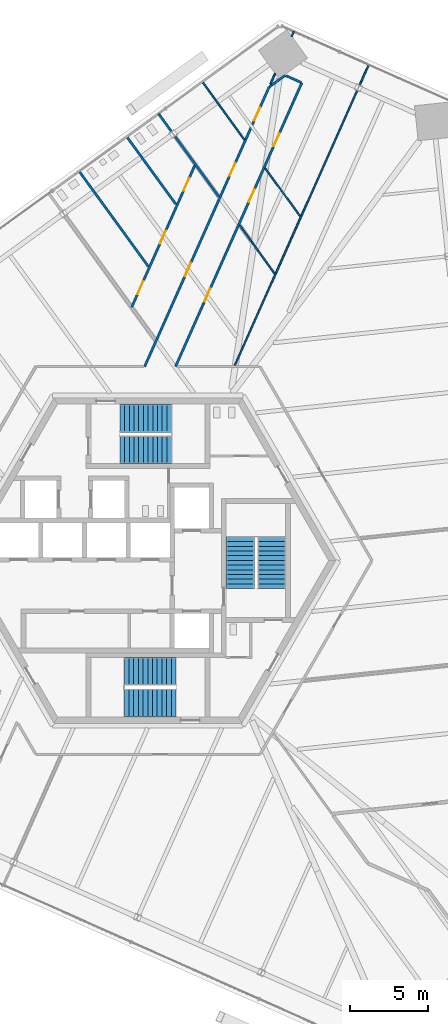
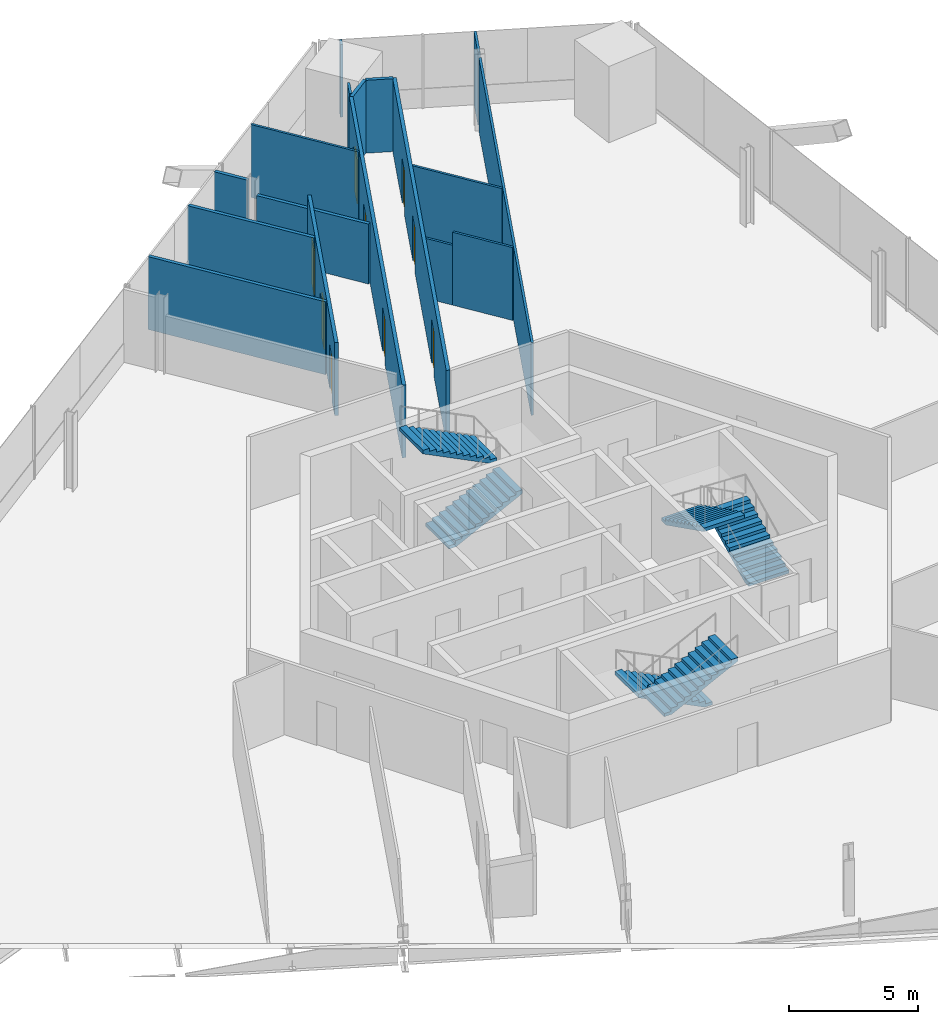
# One storey, part 13 of 17: 17 walls, 9 doors, 6 stair flights, 9 openings, 3 elements without a shape of their own.
"""IFC4 building model written with IfcOpenShell, lengths in metres."""

from ifc_helpers import new_model, si_unit, direction, frame, frame_2d, origin, place, context, subcontext, project, spatial, polyline, rectangle, outline, extrude, source, transform, mapped, material, layer, layer_set, type_object, element, fill, aggregate, save


model = new_model("IFC4")

# Units and contexts
model_context = context("Model", 3, precision=1e-05, world=origin(), true_north=direction((0.0, 1.0)))
body_context = subcontext(model_context, "Body", "Model", "MODEL_VIEW")
ifc_project = project(units=[si_unit("LENGTHUNIT", "METRE"), si_unit("AREAUNIT", "SQUARE_METRE"), si_unit("VOLUMEUNIT", "CUBIC_METRE"), si_unit("PLANEANGLEUNIT", "RADIAN"), si_unit("MASSUNIT", "GRAM", prefix="KILO")], contexts=[model_context])

# Site, building, storey
site_placement = place(None, origin())
site = spatial("IfcSite", under=ifc_project, at=site_placement, CompositionType="ELEMENT")
building_placement = place(site_placement, origin())
building = spatial("IfcBuilding", under=site, at=building_placement, Name="Triune Harvest Tower", CompositionType="ELEMENT")
storey_placement = place(building_placement, frame((0.0, 0.0, 62.10009765625)))
storey = spatial("IfcBuildingStorey", under=building, at=storey_placement, Name="L14", CompositionType="ELEMENT", Elevation=62.10009765625)

# Wall
ifc_material_1 = material(Name="Gypsum board on steel studs", Category="steel")
ifc_layer_1 = layer(ifc_material_1, 0.14990234375)
ifc_layer_set_1 = layer_set([ifc_layer_1], Name="Gypsum board on steel studs")
wall_type_1 = type_object("IfcWallType", Name="Fire Partition 150 mm", PredefinedType="PARTITIONING", material=ifc_layer_set_1)
wall_1_placement = place(storey_placement, frame((1.727783203125, 27.09619140625, 0.0), z_axis=(0.0, 0.0, 1.0), x_axis=(0.587783745591, -0.809018089055, 0.0)))
element("IfcWall", 1, at=wall_1_placement, inside=storey, type_object=wall_type_1, Name="Partition L14 012", PredefinedType="PARTITIONING", context=body_context, shape_type="SweptSolid", body=[
    extrude(rectangle(XDim=4.7529296875, YDim=0.14990234375, at=frame_2d((2.37646484375, 0.0))), origin(), (0.0, 0.0, 1.0), 2.82763671875),
])

# Wall, openings, doors
wall_2_placement = place(storey_placement, frame((-0.208740234375, 12.392333984375, 0.0), z_axis=(0.0, 0.0, 1.0), x_axis=(0.406735449972, 0.913545988846, 0.0)))
wall_2 = element("IfcWall", 2, at=wall_2_placement, inside=storey, type_object=wall_type_1, Name="Partition L14 040", PredefinedType="PARTITIONING", context=body_context, shape_type="SweptSolid", body=[
    extrude(rectangle(XDim=19.53857421875, YDim=0.14990234375, at=frame_2d((9.769287109375, 0.0))), origin(), (0.0, 0.0, 1.0), 3.43994140625),
])
opening_1_placement = place(wall_2_placement, frame((13.339599609375, 0.0, 0.0)))
opening_1 = element("IfcOpeningElement", 3, at=opening_1_placement, cuts=wall_2, Name="Opening L14-006", PredefinedType="OPENING", context=body_context, shape_type="SweptSolid", body=[
    extrude(rectangle(XDim=0.89990234375, YDim=2.10009765625, at=frame_2d((0.449951171875, 1.050048828125))), frame((0.0, 0.0849609375, 0.0), z_axis=(0.0, -1.0, 0.0), x_axis=(1.0, 0.0, 0.0)), (0.0, 0.0, 1.0), 0.169921875),
])
opening_2_placement = place(wall_2_placement, frame((17.20849609375, 0.0, 0.0)))
opening_2 = element("IfcOpeningElement", 4, at=opening_2_placement, cuts=wall_2, Name="Opening L14-007", PredefinedType="OPENING", context=body_context, shape_type="SweptSolid", body=[
    extrude(rectangle(XDim=0.89990234375, YDim=2.10009765625, at=frame_2d((0.449951171875, 1.050048828125))), frame((0.0, 0.0849609375, 0.0), z_axis=(0.0, -1.0, 0.0), x_axis=(1.0, 0.0, 0.0)), (0.0, 0.0, 1.0), 0.169921875),
])
opening_3_placement = place(wall_2_placement, frame((6.338623046875, 0.0, 0.0)))
opening_3 = element("IfcOpeningElement", 5, at=opening_3_placement, cuts=wall_2, Name="Opening L14-009", PredefinedType="OPENING", context=body_context, shape_type="SweptSolid", body=[
    extrude(rectangle(XDim=0.89990234375, YDim=2.10009765625, at=frame_2d((0.449951171875, 1.050048828125))), frame((0.0, 0.0849609375, 0.0), z_axis=(0.0, -1.0, 0.0), x_axis=(1.0, 0.0, 0.0)), (0.0, 0.0, 1.0), 0.169921875),
])
ifc_material_2 = material(Name="Timber and steel door set", Category="steel")
door_type_1 = type_object("IfcDoorType", Name="Single leaf door FD30 left hand 900 x 2100", OperationType="SINGLE_SWING_LEFT", PredefinedType="DOOR", material=ifc_material_2)
door_1_placement = place(opening_3_placement, origin())
door_1 = element("IfcDoor", 6, at=door_1_placement, inside=storey, type_object=door_type_1, Name="Door L14-009 WC lobby 14.09", OperationType="SINGLE_SWING_LEFT", OverallHeight=2.10009765625, OverallWidth=0.89990234375, PredefinedType="DOOR", context=body_context, shape_type="SweptSolid", body=[
    extrude(rectangle(XDim=0.89990234375, YDim=2.10009765625, at=frame_2d((0.449951171875, 1.050048828125))), frame((0.0, 0.02490234375, 0.0), z_axis=(0.0, -1.0, 0.0), x_axis=(1.0, 0.0, 0.0)), (0.0, 0.0, 1.0), 0.050048828125),
])
fill(opening_3, door_1)
ifc_material_3 = material(Name="Timber and steel door set", Category="steel")
door_type_2 = type_object("IfcDoorType", Name="Single leaf door FD30 right hand 900 x 2100", OperationType="SINGLE_SWING_RIGHT", PredefinedType="DOOR", material=ifc_material_3)
door_2_placement = place(opening_1_placement, origin())
door_2 = element("IfcDoor", 7, at=door_2_placement, inside=storey, type_object=door_type_2, Name="Door L14-006 Print room 14.06", OperationType="SINGLE_SWING_RIGHT", OverallHeight=2.10009765625, OverallWidth=0.89990234375, PredefinedType="DOOR", context=body_context, shape_type="SweptSolid", body=[
    extrude(rectangle(XDim=0.89990234375, YDim=2.10009765625, at=frame_2d((0.449951171875, 1.050048828125))), frame((0.0, 0.02490234375, 0.0), z_axis=(0.0, -1.0, 0.0), x_axis=(1.0, 0.0, 0.0)), (0.0, 0.0, 1.0), 0.050048828125),
])
fill(opening_1, door_2)
door_3_placement = place(opening_2_placement, origin())
door_3 = element("IfcDoor", 8, at=door_3_placement, inside=storey, type_object=door_type_2, Name="Door L14-007 Pantry 14.07", OperationType="SINGLE_SWING_RIGHT", OverallHeight=2.10009765625, OverallWidth=0.89990234375, PredefinedType="DOOR", context=body_context, shape_type="SweptSolid", body=[
    extrude(rectangle(XDim=0.89990234375, YDim=2.10009765625, at=frame_2d((0.449951171875, 1.050048828125))), frame((0.0, 0.02490234375, 0.0), z_axis=(0.0, -1.0, 0.0), x_axis=(1.0, 0.0, 0.0)), (0.0, 0.0, 1.0), 0.050048828125),
])
fill(opening_2, door_3)

# Walls
ifc_material_4 = material(Name="Gypsum board on steel studs", Category="steel")
ifc_layer_2 = layer(ifc_material_4, 0.10009765625)
ifc_layer_set_2 = layer_set([ifc_layer_2], Name="Gypsum board on steel studs")
wall_type_2 = type_object("IfcWallType", Name="Partition 100 mm", PredefinedType="PARTITIONING", material=ifc_layer_set_2)
wall_3_placement = place(storey_placement, frame((5.86083984375, 21.40771484375, 0.0), z_axis=(0.0, 0.0, 1.0), x_axis=(0.587687864278, -0.809087741954, 0.0)))
element("IfcWall", 9, at=wall_3_placement, inside=storey, type_object=wall_type_2, Name="Partition L14 013", PredefinedType="PARTITIONING", context=body_context, shape_type="SweptSolid", body=[
    extrude(rectangle(XDim=1.260498046875, YDim=0.10009765625, at=frame_2d((0.63037109375, 0.0))), origin(), (0.0, 0.0, 1.0), 2.82763671875),
])
wall_4_placement = place(storey_placement, frame((3.4775390625, 30.58251953125, 0.0), z_axis=(0.0, 0.0, 1.0), x_axis=(0.587796374443, -0.809008913542, 0.0)))
element("IfcWall", 10, at=wall_4_placement, inside=storey, type_object=wall_type_2, Name="Partition L14 014", PredefinedType="PARTITIONING", context=body_context, shape_type="SweptSolid", body=[
    extrude(rectangle(XDim=4.564697265625, YDim=0.10009765625, at=frame_2d((2.2822265625, 0.0))), origin(), (0.0, 0.0, 1.0), 3.43994140625),
])
wall_5_placement = place(storey_placement, frame((7.488037109375, 25.0625, 0.0), z_axis=(0.0, 0.0, 1.0), x_axis=(0.587797469144, -0.809008118172, 0.0)))
element("IfcWall", 11, at=wall_5_placement, inside=storey, type_object=wall_type_2, Name="Partition L14 015", PredefinedType="PARTITIONING", context=body_context, shape_type="SweptSolid", body=[
    extrude(rectangle(XDim=3.802001953125, YDim=0.10009765625, at=frame_2d((1.90087890625, 0.0))), origin(), (0.0, 0.0, 1.0), 3.43994140625),
])
shared_shape_1 = source(origin(), body_context, "Body", "SweptSolid", [
    extrude(rectangle(XDim=7.5048828125, YDim=0.14990234375, at=frame_2d((3.75244140625, 0.0))), origin(), (0.0, 0.0, 1.0), 3.43994140625),
])
wall_6_placement = place(storey_placement, frame((-4.391845703125, 24.864990234375, 0.0), z_axis=(0.0, 0.0, 1.0), x_axis=(0.587777030778, -0.809022967591, 0.0)))
element("IfcWall", 12, at=wall_6_placement, inside=storey, type_object=wall_type_1, Name="Partition L14 009", PredefinedType="PARTITIONING", context=body_context, shape_type="MappedRepresentation", body=[
    mapped(shared_shape_1, transform((0.0, 0.0, 0.0), scale=1.0)),
])
shared_shape_2 = source(origin(), body_context, "Body", "SweptSolid", [
    extrude(rectangle(XDim=5.33544921875, YDim=0.14990234375, at=frame_2d((2.667724609375, 0.0))), origin(), (0.0, 0.0, 1.0), 3.43994140625),
])
wall_7_placement = place(storey_placement, frame((-1.35205078125, 27.073486328125, 0.0), z_axis=(0.0, 0.0, 1.0), x_axis=(0.587777109059, -0.809022910718, 0.0)))
element("IfcWall", 13, at=wall_7_placement, inside=storey, type_object=wall_type_1, Name="Partition L14 010", PredefinedType="PARTITIONING", context=body_context, shape_type="MappedRepresentation", body=[
    mapped(shared_shape_2, transform((0.0, 0.0, 0.0), scale=1.0)),
])
shared_shape_3 = source(origin(), body_context, "Body", "SweptSolid", [
    extrude(rectangle(XDim=1.41796875, YDim=0.14990234375, at=frame_2d((0.708984375, 0.0))), origin(), (0.0, 0.0, 1.0), 3.43994140625),
])
wall_8_placement = place(storey_placement, frame((0.674560546875, 28.545654296875, 0.0), z_axis=(0.0, 0.0, 1.0), x_axis=(0.587782622309, -0.809018905164, 0.0)))
element("IfcWall", 14, at=wall_8_placement, inside=storey, type_object=wall_type_1, Name="Partition L14 011", PredefinedType="PARTITIONING", context=body_context, shape_type="MappedRepresentation", body=[
    mapped(shared_shape_3, transform((0.0, 0.0, 0.0), scale=1.0)),
])
shared_shape_4 = source(origin(), body_context, "Body", "SweptSolid", [
    extrude(rectangle(XDim=2.54150390625, YDim=0.10009765625, at=frame_2d((1.270751953125, 0.0))), origin(), (0.0, 0.0, 1.0), 3.43994140625),
])
wall_9_placement = place(storey_placement, frame((6.6015625, 20.387939453125, 0.0), z_axis=(0.0, 0.0, 1.0), x_axis=(0.587788950983, -0.809014307106, 0.0)))
element("IfcWall", 15, at=wall_9_placement, inside=storey, type_object=wall_type_2, Name="Partition L14 013a", PredefinedType="PARTITIONING", context=body_context, shape_type="MappedRepresentation", body=[
    mapped(shared_shape_4, transform((0.0, 0.0, 0.0), scale=1.0)),
])
shared_shape_5 = source(origin(), body_context, "Body", "SweptSolid", [
    extrude(rectangle(XDim=1.06396484375, YDim=0.14990234375, at=frame_2d((0.531982421875, 0.0))), origin(), (0.0, 0.0, 1.0), 3.43994140625),
])
wall_10_placement = place(storey_placement, frame((8.813232421875, 30.968994140625, 0.0), z_axis=(0.0, 0.0, 1.0), x_axis=(0.91358428544, -0.40664942321, 0.0)))
element("IfcWall", 16, at=wall_10_placement, inside=storey, type_object=wall_type_1, Name="Partition L14 018", PredefinedType="PARTITIONING", context=body_context, shape_type="MappedRepresentation", body=[
    mapped(shared_shape_5, transform((0.0, 0.0, 0.0), scale=1.0)),
])
shared_shape_6 = source(origin(), body_context, "Body", "SweptSolid", [
    extrude(rectangle(XDim=1.252197265625, YDim=0.14990234375, at=frame_2d((0.6259765625, 0.0))), origin(), (0.0, 0.0, 1.0), 3.43994140625),
])
wall_11_placement = place(storey_placement, frame((7.754638671875, 30.25341796875, 0.0), z_axis=(0.0, 0.0, 1.0), x_axis=(0.808963673702, 0.587858634903, 0.0)))
element("IfcWall", 17, at=wall_11_placement, inside=storey, type_object=wall_type_1, Name="Partition L14 029", PredefinedType="PARTITIONING", context=body_context, shape_type="MappedRepresentation", body=[
    mapped(shared_shape_6, transform((0.0, 0.0, 0.0), scale=1.0)),
])
shared_shape_7 = source(origin(), body_context, "Body", "SweptSolid", [
    extrude(rectangle(XDim=1.41845703125, YDim=0.10009765625, at=frame_2d((0.709228515625, 0.0))), origin(), (0.0, 0.0, 1.0), 3.43994140625),
])
wall_12_placement = place(storey_placement, frame((13.519287109375, 30.364501953125, 0.0), z_axis=(0.0, 0.0, 1.0), x_axis=(0.406697305895, 0.913562970669, 0.0)))
element("IfcWall", 18, at=wall_12_placement, inside=storey, type_object=wall_type_2, Name="Partition L14 035", PredefinedType="PARTITIONING", context=body_context, shape_type="MappedRepresentation", body=[
    mapped(shared_shape_7, transform((0.0, 0.0, 0.0), scale=1.0)),
])
shared_shape_8 = source(origin(), body_context, "Body", "SweptSolid", [
    extrude(rectangle(XDim=19.29931640625, YDim=0.10009765625, at=frame_2d((9.649658203125, 0.0))), origin(), (0.0, 0.0, 1.0), 3.43994140625),
])
wall_13_placement = place(storey_placement, frame((5.517578125, 12.392333984375, 0.0), z_axis=(0.0, 0.0, 1.0), x_axis=(0.406729941856, 0.913548441188, 0.0)))
element("IfcWall", 19, at=wall_13_placement, inside=storey, type_object=wall_type_2, Name="Partition L14 034", PredefinedType="PARTITIONING", context=body_context, shape_type="MappedRepresentation", body=[
    mapped(shared_shape_8, transform((0.0, 0.0, 0.0), scale=1.0)),
])

# Wall, openings, doors
shared_shape_9 = source(origin(), body_context, "Body", "SweptSolid", [
    extrude(rectangle(XDim=19.8388671875, YDim=0.14990234375, at=frame_2d((9.91943359375, 0.0))), origin(), (0.0, 0.0, 1.0), 3.43994140625),
])
wall_14_placement = place(storey_placement, frame((1.76171875, 12.392333984375, 0.0), z_axis=(0.0, 0.0, 1.0), x_axis=(0.406745822445, 0.913541370669, 0.0)))
wall_14 = element("IfcWall", 20, at=wall_14_placement, inside=storey, type_object=wall_type_1, Name="Partition L14 037", PredefinedType="PARTITIONING", context=body_context, shape_type="MappedRepresentation", body=[
    mapped(shared_shape_9, transform((0.0, 0.0, 0.0), scale=1.0)),
])
opening_4_placement = place(wall_14_placement, frame((15.39892578125, 0.0, 0.0)))
opening_4 = element("IfcOpeningElement", 21, at=opening_4_placement, cuts=wall_14, Name="Opening L14-005", PredefinedType="OPENING", context=body_context, shape_type="SweptSolid", body=[
    extrude(rectangle(XDim=0.89990234375, YDim=2.10009765625, at=frame_2d((0.449951171875, 1.050048828125))), frame((0.0, 0.0849609375, 0.0), z_axis=(0.0, -1.0, 0.0), x_axis=(1.0, 0.0, 0.0)), (0.0, 0.0, 1.0), 0.169921875),
])
opening_5_placement = place(wall_14_placement, frame((11.498046875, 0.0, 0.0)))
opening_5 = element("IfcOpeningElement", 22, at=opening_5_placement, cuts=wall_14, Name="Opening L14-008", PredefinedType="OPENING", context=body_context, shape_type="SweptSolid", body=[
    extrude(rectangle(XDim=0.89990234375, YDim=2.10009765625, at=frame_2d((0.449951171875, 1.050048828125))), frame((0.0, 0.0849609375, 0.0), z_axis=(0.0, -1.0, 0.0), x_axis=(1.0, 0.0, 0.0)), (0.0, 0.0, 1.0), 0.169921875),
])
opening_6_placement = place(wall_14_placement, frame((4.550048828125, 0.0, 0.0)))
opening_6 = element("IfcOpeningElement", 23, at=opening_6_placement, cuts=wall_14, Name="Opening L14-010", PredefinedType="OPENING", context=body_context, shape_type="SweptSolid", body=[
    extrude(rectangle(XDim=0.89990234375, YDim=2.10009765625, at=frame_2d((0.449951171875, 1.050048828125))), frame((0.0, 0.0849609375, 0.0), z_axis=(0.0, -1.0, 0.0), x_axis=(1.0, 0.0, 0.0)), (0.0, 0.0, 1.0), 0.169921875),
])
door_4_placement = place(opening_4_placement, origin())
door_4 = element("IfcDoor", 24, at=door_4_placement, inside=storey, type_object=door_type_1, Name="Door L14-005 Specimen Store 14.05", OperationType="SINGLE_SWING_LEFT", OverallHeight=2.10009765625, OverallWidth=0.89990234375, PredefinedType="DOOR", context=body_context, shape_type="SweptSolid", body=[
    extrude(rectangle(XDim=0.89990234375, YDim=2.10009765625, at=frame_2d((0.449951171875, 1.050048828125))), frame((0.0, 0.02490234375, 0.0), z_axis=(0.0, -1.0, 0.0), x_axis=(1.0, 0.0, 0.0)), (0.0, 0.0, 1.0), 0.050048828125),
])
fill(opening_4, door_4)
door_5_placement = place(opening_5_placement, origin())
door_5 = element("IfcDoor", 25, at=door_5_placement, inside=storey, type_object=door_type_1, Name="Door L14-008 Print room 14.08", OperationType="SINGLE_SWING_LEFT", OverallHeight=2.10009765625, OverallWidth=0.89990234375, PredefinedType="DOOR", context=body_context, shape_type="SweptSolid", body=[
    extrude(rectangle(XDim=0.89990234375, YDim=2.10009765625, at=frame_2d((0.449951171875, 1.050048828125))), frame((0.0, 0.02490234375, 0.0), z_axis=(0.0, -1.0, 0.0), x_axis=(1.0, 0.0, 0.0)), (0.0, 0.0, 1.0), 0.050048828125),
])
fill(opening_5, door_5)
door_6_placement = place(opening_6_placement, origin())
door_6 = element("IfcDoor", 26, at=door_6_placement, inside=storey, type_object=door_type_2, Name="Door L14-010 Office 14.10", OperationType="SINGLE_SWING_RIGHT", OverallHeight=2.10009765625, OverallWidth=0.89990234375, PredefinedType="DOOR", context=body_context, shape_type="SweptSolid", body=[
    extrude(rectangle(XDim=0.89990234375, YDim=2.10009765625, at=frame_2d((0.449951171875, 1.050048828125))), frame((0.0, 0.02490234375, 0.0), z_axis=(0.0, -1.0, 0.0), x_axis=(1.0, 0.0, 0.0)), (0.0, 0.0, 1.0), 0.050048828125),
])
fill(opening_6, door_6)

# Walls
shared_shape_10 = source(origin(), body_context, "Body", "SweptSolid", [
    extrude(rectangle(XDim=0.764892578125, YDim=0.10009765625, at=frame_2d((0.38232421875, 0.0))), origin(), (0.0, 0.0, 1.0), 3.43994140625),
])
wall_15_placement = place(storey_placement, frame((7.81982421875, 30.42431640625, 0.0), z_axis=(0.0, 0.0, 1.0), x_axis=(0.406671507884, 0.913574454916, 0.0)))
element("IfcWall", 27, at=wall_15_placement, inside=storey, type_object=wall_type_2, Name="Partition L14 041", PredefinedType="PARTITIONING", context=body_context, shape_type="MappedRepresentation", body=[
    mapped(shared_shape_10, transform((0.0, 0.0, 0.0), scale=1.0)),
])
shared_shape_11 = source(origin(), body_context, "Body", "SweptSolid", [
    extrude(rectangle(XDim=0.342041015625, YDim=0.10009765625, at=frame_2d((0.1708984375, 0.0))), origin(), (0.0, 0.0, 1.0), 3.43994140625),
])
wall_16_placement = place(storey_placement, frame((9.17822265625, 33.475341796875, 0.0), z_axis=(0.0, 0.0, 1.0), x_axis=(0.40680054153, 0.91351700554, 0.0)))
element("IfcWall", 28, at=wall_16_placement, inside=storey, type_object=wall_type_2, Name="Partition L14 042", PredefinedType="PARTITIONING", context=body_context, shape_type="MappedRepresentation", body=[
    mapped(shared_shape_11, transform((0.0, 0.0, 0.0), scale=1.0)),
])

# Wall, openings, doors
shared_shape_12 = source(origin(), body_context, "Body", "SweptSolid", [
    extrude(rectangle(XDim=10.002197265625, YDim=0.14990234375, at=frame_2d((5.0009765625, 0.0))), origin(), (0.0, 0.0, 1.0), 3.43994140625),
])
wall_17_placement = place(storey_placement, frame((-1.043212890625, 16.1728515625, 0.0), z_axis=(0.0, 0.0, 1.0), x_axis=(0.406745320827, 0.91354159401, 0.0)))
wall_17 = element("IfcWall", 29, at=wall_17_placement, inside=storey, type_object=wall_type_1, Name="Partition L14 043", PredefinedType="PARTITIONING", context=body_context, shape_type="MappedRepresentation", body=[
    mapped(shared_shape_12, transform((0.0, 0.0, 0.0), scale=1.0)),
])
opening_7_placement = place(wall_17_placement, frame((8.15234375, 0.0, 0.0)))
opening_7 = element("IfcOpeningElement", 30, at=opening_7_placement, cuts=wall_17, Name="Opening L14-011", PredefinedType="OPENING", context=body_context, shape_type="SweptSolid", body=[
    extrude(rectangle(XDim=0.89990234375, YDim=2.10009765625, at=frame_2d((0.449951171875, 1.050048828125))), frame((0.0, 0.0849609375, 0.0), z_axis=(0.0, -1.0, 0.0), x_axis=(1.0, 0.0, 0.0)), (0.0, 0.0, 1.0), 0.169921875),
])
opening_8_placement = place(wall_17_placement, frame((4.4599609375, 0.0, 0.0)))
opening_8 = element("IfcOpeningElement", 31, at=opening_8_placement, cuts=wall_17, Name="Opening L14-012", PredefinedType="OPENING", context=body_context, shape_type="SweptSolid", body=[
    extrude(rectangle(XDim=0.89990234375, YDim=2.10009765625, at=frame_2d((0.449951171875, 1.050048828125))), frame((0.0, 0.0849609375, 0.0), z_axis=(0.0, -1.0, 0.0), x_axis=(1.0, 0.0, 0.0)), (0.0, 0.0, 1.0), 0.169921875),
])
opening_9_placement = place(wall_17_placement, frame((0.92138671875, 0.0, 0.0)))
opening_9 = element("IfcOpeningElement", 32, at=opening_9_placement, cuts=wall_17, Name="Opening L14-013", PredefinedType="OPENING", context=body_context, shape_type="SweptSolid", body=[
    extrude(rectangle(XDim=0.89990234375, YDim=2.10009765625, at=frame_2d((0.449951171875, 1.050048828125))), frame((0.0, 0.0849609375, 0.0), z_axis=(0.0, -1.0, 0.0), x_axis=(1.0, 0.0, 0.0)), (0.0, 0.0, 1.0), 0.169921875),
])
door_7_placement = place(opening_8_placement, origin())
door_7 = element("IfcDoor", 33, at=door_7_placement, inside=storey, type_object=door_type_1, Name="Door L14-012 Men's WC 14.12", OperationType="SINGLE_SWING_LEFT", OverallHeight=2.10009765625, OverallWidth=0.89990234375, PredefinedType="DOOR", context=body_context, shape_type="SweptSolid", body=[
    extrude(rectangle(XDim=0.89990234375, YDim=2.10009765625, at=frame_2d((0.449951171875, 1.050048828125))), frame((0.0, 0.02490234375, 0.0), z_axis=(0.0, -1.0, 0.0), x_axis=(1.0, 0.0, 0.0)), (0.0, 0.0, 1.0), 0.050048828125),
])
fill(opening_8, door_7)
door_8_placement = place(opening_9_placement, origin())
door_8 = element("IfcDoor", 34, at=door_8_placement, inside=storey, type_object=door_type_1, Name="Door L14-013 Accessible WC 14.13", OperationType="SINGLE_SWING_LEFT", OverallHeight=2.10009765625, OverallWidth=0.89990234375, PredefinedType="DOOR", context=body_context, shape_type="SweptSolid", body=[
    extrude(rectangle(XDim=0.89990234375, YDim=2.10009765625, at=frame_2d((0.449951171875, 1.050048828125))), frame((0.0, 0.02490234375, 0.0), z_axis=(0.0, -1.0, 0.0), x_axis=(1.0, 0.0, 0.0)), (0.0, 0.0, 1.0), 0.050048828125),
])
fill(opening_9, door_8)
door_9_placement = place(opening_7_placement, origin())
door_9 = element("IfcDoor", 35, at=door_9_placement, inside=storey, type_object=door_type_2, Name="Door L14-011 Women's WC 14.11", OperationType="SINGLE_SWING_RIGHT", OverallHeight=2.10009765625, OverallWidth=0.89990234375, PredefinedType="DOOR", context=body_context, shape_type="SweptSolid", body=[
    extrude(rectangle(XDim=0.89990234375, YDim=2.10009765625, at=frame_2d((0.449951171875, 1.050048828125))), frame((0.0, 0.02490234375, 0.0), z_axis=(0.0, -1.0, 0.0), x_axis=(1.0, 0.0, 0.0)), (0.0, 0.0, 1.0), 0.050048828125),
])
fill(opening_7, door_9)

# Stair, stair flights
ifc_material_5 = material(Name="Concrete 40 MPa", Category="concrete")
stair_type = type_object("IfcStairType", Name="Exit stair 1800 half turn", PredefinedType="HALF_TURN_STAIR", material=ifc_material_5)
stair_1_placement = place(storey_placement, origin())
stair_1 = element("IfcStair", 36, at=stair_1_placement, inside=storey, type_object=stair_type, Name="Exit stair north", PredefinedType="HALF_TURN_STAIR")
ifc_material_6 = material(Name="Concrete 40 MPa", Category="concrete")
stair_flight_type = type_object("IfcStairFlightType", Name="Stair flight 1800", PredefinedType="STRAIGHT", material=ifc_material_6)
shared_shape_13 = source(origin(), body_context, "Body", "SweptSolid", [
    extrude(outline(polyline([(0.0, 0.0), (0.0, 0.14990234375), (0.300048828125, 0.14990234375), (0.300048828125, 0.300048828125), (0.60009765625, 0.300048828125), (0.60009765625, 0.449951171875), (0.89990234375, 0.449951171875), (0.89990234375, 0.60009765625), (1.199951171875, 0.60009765625), (1.199951171875, 0.75), (1.5, 0.75), (1.5, 0.89990234375), (1.800048828125, 0.89990234375), (1.800048828125, 1.050048828125), (2.10009765625, 1.050048828125), (2.10009765625, 1.199951171875), (2.39990234375, 1.199951171875), (2.39990234375, 1.35009765625), (2.699951171875, 1.35009765625), (2.699951171875, 1.5), (3.0, 1.5), (3.0, 1.64990234375), (3.300048828125, 1.64990234375), (3.300048828125, 1.800048828125), (3.300048828125, 1.482421875), (0.335205078125, 0.0), (0.0, 0.0)])), frame((0.0, 0.89990234375, 0.0), z_axis=(0.0, -1.0, 0.0), x_axis=(1.0, 0.0, 0.0)), (0.0, 0.0, 1.0), 1.800048828125),
])
stair_flight_1_placement = place(storey_placement, frame((-1.7900390625, 7.090087890625, 0.0), z_axis=(0.0, 0.0, 1.0), x_axis=(1.0, 0.0, 0.0)))
stair_flight_1 = element("IfcStairFlight", 37, at=stair_flight_1_placement, type_object=stair_flight_type, Name="ST-1 flight 1", NumberOfRisers=12, NumberOfTreads=11, PredefinedType="STRAIGHT", RiserHeight=0.15, TreadLength=0.3, context=body_context, shape_type="MappedRepresentation", body=[
    mapped(shared_shape_13, transform((0.0, 0.0, 0.0), scale=1.0)),
])
stair_flight_2_placement = place(storey_placement, frame((1.510009765625, 9.090087890625, 1.7998046875), z_axis=(0.0, 0.0, 1.0), x_axis=(-1.0, 0.0, 0.0)))
stair_flight_2 = element("IfcStairFlight", 38, at=stair_flight_2_placement, type_object=stair_flight_type, Name="ST-1 flight 2", NumberOfRisers=12, NumberOfTreads=11, PredefinedType="STRAIGHT", RiserHeight=0.15, TreadLength=0.3, context=body_context, shape_type="MappedRepresentation", body=[
    mapped(shared_shape_13, transform((0.0, 0.0, 0.0), scale=1.0)),
])
aggregate(stair_1, [stair_flight_1, stair_flight_2])

stair_2_placement = place(storey_placement, origin())
stair_2 = element("IfcStair", 39, at=stair_2_placement, inside=storey, type_object=stair_type, Name="Exit stair south", PredefinedType="HALF_TURN_STAIR")
stair_flight_3_placement = place(storey_placement, frame((1.7900390625, -7.090087890625, 0.0), z_axis=(0.0, 0.0, 1.0), x_axis=(-1.0, 0.0, 0.0)))
stair_flight_3 = element("IfcStairFlight", 40, at=stair_flight_3_placement, type_object=stair_flight_type, Name="ST-2 flight 1", NumberOfRisers=12, NumberOfTreads=11, PredefinedType="STRAIGHT", RiserHeight=0.15, TreadLength=0.3, context=body_context, shape_type="MappedRepresentation", body=[
    mapped(shared_shape_13, transform((0.0, 0.0, 0.0), scale=1.0)),
])
stair_flight_4_placement = place(storey_placement, frame((-1.510009765625, -9.090087890625, 1.7998046875), z_axis=(0.0, 0.0, 1.0), x_axis=(1.0, 0.0, 0.0)))
stair_flight_4 = element("IfcStairFlight", 41, at=stair_flight_4_placement, type_object=stair_flight_type, Name="ST-2 flight 2", NumberOfRisers=12, NumberOfTreads=11, PredefinedType="STRAIGHT", RiserHeight=0.15, TreadLength=0.3, context=body_context, shape_type="MappedRepresentation", body=[
    mapped(shared_shape_13, transform((0.0, 0.0, 0.0), scale=1.0)),
])
aggregate(stair_2, [stair_flight_3, stair_flight_4])

stair_3_placement = place(storey_placement, origin())
stair_3 = element("IfcStair", 42, at=stair_3_placement, inside=storey, type_object=stair_type, Name="Exit stair east", PredefinedType="HALF_TURN_STAIR")
stair_flight_5_placement = place(storey_placement, frame((7.89990234375, -1.7900390625, 0.0), z_axis=(0.0, 0.0, 1.0), x_axis=(0.0, 1.0, 0.0)))
stair_flight_5 = element("IfcStairFlight", 43, at=stair_flight_5_placement, type_object=stair_flight_type, Name="ST-3 flight 1", NumberOfRisers=12, NumberOfTreads=11, PredefinedType="STRAIGHT", RiserHeight=0.15, TreadLength=0.3, context=body_context, shape_type="MappedRepresentation", body=[
    mapped(shared_shape_13, transform((0.0, 0.0, 0.0), scale=1.0)),
])
stair_flight_6_placement = place(storey_placement, frame((5.89990234375, 1.510009765625, 1.7998046875), z_axis=(0.0, 0.0, 1.0), x_axis=(0.0, -1.0, 0.0)))
stair_flight_6 = element("IfcStairFlight", 44, at=stair_flight_6_placement, type_object=stair_flight_type, Name="ST-3 flight 2", NumberOfRisers=12, NumberOfTreads=11, PredefinedType="STRAIGHT", RiserHeight=0.15, TreadLength=0.3, context=body_context, shape_type="MappedRepresentation", body=[
    mapped(shared_shape_13, transform((0.0, 0.0, 0.0), scale=1.0)),
])
aggregate(stair_3, [stair_flight_5, stair_flight_6])

save(model, "model.ifc")
